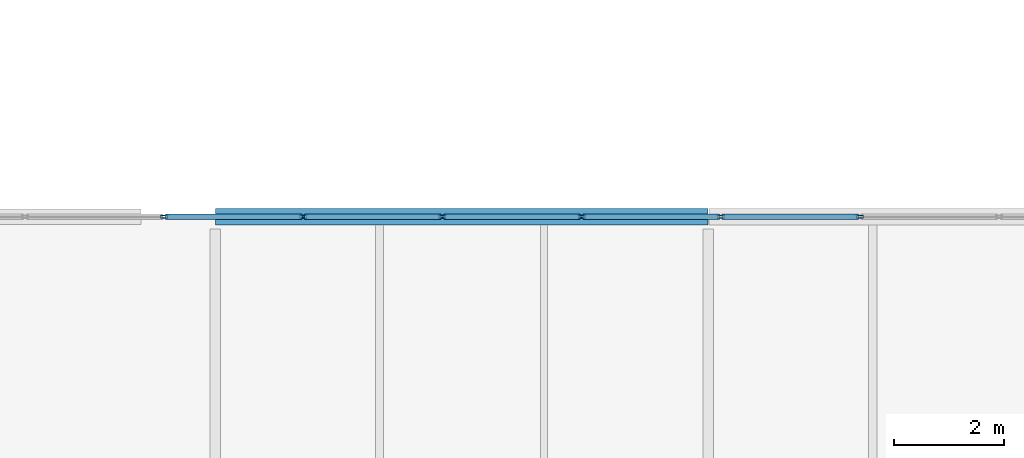
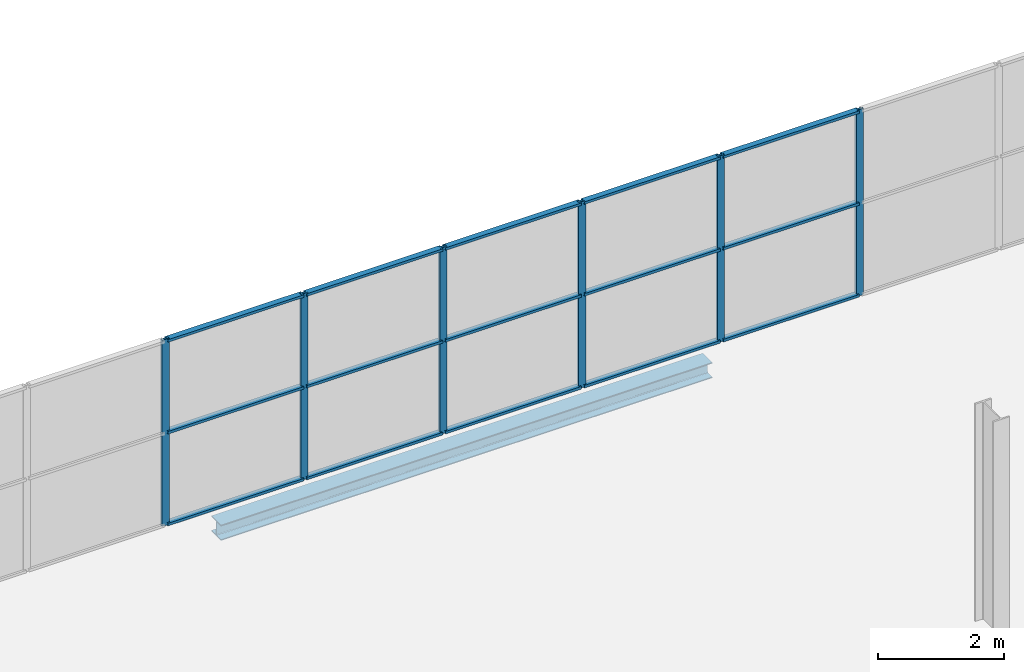
# One storey, part 45 of 59: 21 members, 1 beam, 1 element without a shape of its own.
"""IFC4 building model written with IfcOpenShell, lengths in metres."""

import ifcopenshell
import ifcopenshell.guid

model = None  # the IFC model being written
_history = None  # IfcOwnerHistory: only IFC2X3 demands one
_inside = {}  # id of a spatial element -> (the spatial element, [elements in it])
_under = {}  # id of a project, library or spatial element -> (it, [spatial elements below it])
_declared = {}  # id of a project -> (the project, [libraries it declares])
_typed = {}  # id of a type object -> (the type object, [elements of that type])
_made_of = {}  # id of a material, layer set ... -> (it, [elements and type objects made of it])


def new_model(schema):
    """Start an empty IFC model of exactly this schema.

    Asked for "IFC4X3", IfcOpenShell would pick the latest addendum, in which some entities
    have other attributes; the version numbers below select the first issue.
    IFC2X3 requires an IfcOwnerHistory on every rooted entity: one is made here for all.
    """
    global model, _history
    if schema == "IFC4X3":
        model = ifcopenshell.file(schema_version=(4, 3, 0, 0))
    else:
        model = ifcopenshell.file(schema=schema)
    _inside.clear()
    _under.clear()
    _declared.clear()
    _typed.clear()
    _made_of.clear()
    _history = None
    if model.schema == "IFC2X3":
        org = make("IfcOrganization", Name="unknown")
        user = make(
            "IfcPersonAndOrganization",
            ThePerson=make("IfcPerson", FamilyName="unknown"),
            TheOrganization=org,
        )
        app = make(
            "IfcApplication",
            ApplicationDeveloper=org,
            Version="unknown",
            ApplicationFullName="unknown",
            ApplicationIdentifier="unknown",
        )
        _history = make(
            "IfcOwnerHistory",
            OwningUser=user,
            OwningApplication=app,
            ChangeAction="ADDED",
            CreationDate=0,
        )
    return model


def make(cls, **values):
    """One entity of the class cls with the attributes given. An attribute that is None is left unset."""
    return model.create_entity(
        cls, **{name: value for name, value in values.items() if value is not None}
    )


def rooted(cls, **values):
    """An entity with a GlobalId (a new one), such as an element, a storey or a relation."""
    return make(cls, GlobalId=ifcopenshell.guid.new(), OwnerHistory=_history, **values)


def si_unit(unit_type, name, prefix=None):
    """IfcSIUnit, for example si_unit("LENGTHUNIT", "METRE", prefix="MILLI")."""
    return make("IfcSIUnit", UnitType=unit_type, Prefix=prefix, Name=name)


def assignment(units):
    """IfcUnitAssignment: the units of a project."""
    return None if units is None else make("IfcUnitAssignment", Units=units)


def point(xyz):
    """IfcCartesianPoint."""
    return None if xyz is None else make("IfcCartesianPoint", Coordinates=xyz)


def direction(xyz):
    """IfcDirection."""
    return None if xyz is None else make("IfcDirection", DirectionRatios=xyz)


def frame(location, z_axis=None, x_axis=None):
    """IfcAxis2Placement3D, a coordinate frame: its origin and axes. An axis left out is left unset."""
    return make(
        "IfcAxis2Placement3D",
        Location=point(location),
        Axis=direction(z_axis),
        RefDirection=direction(x_axis),
    )


def frame_2d(location, x_axis=None):
    """IfcAxis2Placement2D, a coordinate frame in the plane: its origin and x axis."""
    return make(
        "IfcAxis2Placement2D", Location=point(location), RefDirection=direction(x_axis)
    )


def origin():
    """The frame at (0, 0, 0) with its axes left unset."""
    return frame((0.0, 0.0, 0.0))


def origin_2d():
    """The frame at (0, 0) in the plane with its x axis left unset."""
    return frame_2d((0.0, 0.0))


def place(relative_to, where):
    """IfcLocalPlacement: puts the frame where relative to a parent placement (None: the world)."""
    return make(
        "IfcLocalPlacement", PlacementRelTo=relative_to, RelativePlacement=where
    )


def context(
    kind, dimensions, precision=None, world=None, true_north=None, identifier=None
):
    """IfcGeometricRepresentationContext, for example the 3D "Model" context."""
    return make(
        "IfcGeometricRepresentationContext",
        ContextIdentifier=identifier,
        ContextType=kind,
        CoordinateSpaceDimension=dimensions,
        Precision=precision,
        WorldCoordinateSystem=world,
        TrueNorth=true_north,
    )


def subcontext(parent, identifier, kind, view, scale=None):
    """IfcGeometricRepresentationSubContext, for example "Body" below "Model"."""
    return make(
        "IfcGeometricRepresentationSubContext",
        ContextIdentifier=identifier,
        ContextType=kind,
        ParentContext=parent,
        TargetScale=scale,
        TargetView=view,
    )


def project(units=None, contexts=None):
    """IfcProject with its units and contexts."""
    return rooted(
        "IfcProject",
        Name="project",
        RepresentationContexts=contexts,
        UnitsInContext=assignment(units),
    )


def spatial(cls, under=None, at=None, **own):
    """A site, building, storey or space (cls), placed at a placement, below another one or the project."""
    s = rooted(cls, ObjectPlacement=at, **own)
    if under is not None:
        _under.setdefault(under.id(), (under, []))[1].append(s)
    return s


def profile(cls, at=None, kind="AREA", **sizes):
    """A parametric profile (cls). Its sizes go by their IFC names, for example OverallWidth=200.0."""
    return make(cls, ProfileType=kind, Position=at, **sizes)


def hollow_rectangle(**sizes):
    """IfcRectangleHollowProfileDef."""
    return profile("IfcRectangleHollowProfileDef", **sizes)


def i_section(**sizes):
    """IfcIShapeProfileDef."""
    return profile("IfcIShapeProfileDef", **sizes)


def extrude(swept, where, along, depth):
    """IfcExtrudedAreaSolid: the profile swept, set in the frame where, extruded along a direction by depth."""
    return make(
        "IfcExtrudedAreaSolid",
        SweptArea=swept,
        Position=where,
        ExtrudedDirection=direction(along),
        Depth=depth,
    )


def shape(context_of_items, identifier, shape_type, items):
    """IfcShapeRepresentation: the items that make up one representation, for example the "Body"."""
    return make(
        "IfcShapeRepresentation",
        ContextOfItems=context_of_items,
        RepresentationIdentifier=identifier,
        RepresentationType=shape_type,
        Items=items,
    )


def material(Name=None, Category=None):
    """IfcMaterial."""
    return make("IfcMaterial", Name=Name, Category=Category)


def layer(
    of_material, thickness, ventilated=None, Name=None, Category=None, Priority=None
):
    """IfcMaterialLayer: one layer of a wall or slab, of a material (None: an air gap)."""
    return make(
        "IfcMaterialLayer",
        Material=of_material,
        LayerThickness=thickness,
        IsVentilated=ventilated,
        Name=Name,
        Category=Category,
        Priority=Priority,
    )


def layer_set(layers, Name=None):
    """IfcMaterialLayerSet."""
    return make("IfcMaterialLayerSet", MaterialLayers=layers, LayerSetName=Name)


def material_profile(
    of_material, cross_section, Name=None, Category=None, Priority=None
):
    """IfcMaterialProfile: a cross section and its material."""
    return make(
        "IfcMaterialProfile",
        Name=Name,
        Material=of_material,
        Profile=cross_section,
        Priority=Priority,
        Category=Category,
    )


def profile_set(profiles, Name=None, composite=None):
    """IfcMaterialProfileSet."""
    return make(
        "IfcMaterialProfileSet",
        Name=Name,
        MaterialProfiles=profiles,
        CompositeProfile=composite,
    )


def made_of(thing, what):
    """Note that an element or type object is made of a material, layer set ...; save() writes the relation."""
    if what is not None:
        _made_of.setdefault(what.id(), (what, []))[1].append(thing)
    return thing


def type_object(cls, material=None, **own):
    """A type object (cls), such as IfcWallType, which elements share."""
    return made_of(rooted(cls, **own), material)


def element(
    cls,
    number,
    at=None,
    inside=None,
    cuts=None,
    type_object=None,
    material=None,
    context=None,
    identifier="Body",
    shape_type=None,
    held_by="IfcProductDefinitionShape",
    body=None,
    shapes=None,
    **own,
):
    """One element of the class cls, such as IfcWall. Its Tag is "e" and its number.

    at: its placement. inside: the storey or other place that contains it. cuts: it is an
    opening in that element (IfcRelVoidsElement). A single representation is given by context,
    identifier, shape_type and body (its items); several are given by shapes. held_by: the class
    of the entity that holds the representations. save() writes the other relations.
    """
    e = rooted(cls, Tag="e%d" % number, ObjectPlacement=at, **own)
    if body is not None:
        shapes = [shape(context, identifier, shape_type, body)]
    if shapes is not None:
        e.Representation = make(held_by, Representations=shapes)
    if inside is not None:
        _inside.setdefault(inside.id(), (inside, []))[1].append(e)
    if cuts is not None:
        rooted(
            "IfcRelVoidsElement", RelatingBuildingElement=cuts, RelatedOpeningElement=e
        )
    if type_object is not None:
        _typed.setdefault(type_object.id(), (type_object, []))[1].append(e)
    return made_of(e, material)


def aggregate(whole, parts):
    """IfcRelAggregates: a whole, such as a stair, and the parts it consists of."""
    return rooted("IfcRelAggregates", RelatingObject=whole, RelatedObjects=parts)


def save(model, path):
    """Write the relations noted so far, then the file.

    IfcRelAggregates (storeys below a building ...), IfcRelContainedInSpatialStructure (elements
    in a storey), IfcRelDefinesByType, IfcRelAssociatesMaterial and IfcRelDeclares: one each for
    every whole, place, type object, material and project.
    """
    for whole, parts in _under.values():
        aggregate(whole, parts)
    for where, things in _inside.values():
        rooted(
            "IfcRelContainedInSpatialStructure",
            RelatedElements=things,
            RelatingStructure=where,
        )
    for kind, things in _typed.values():
        rooted("IfcRelDefinesByType", RelatedObjects=things, RelatingType=kind)
    for what, things in _made_of.values():
        rooted("IfcRelAssociatesMaterial", RelatedObjects=things, RelatingMaterial=what)
    for by, libraries in _declared.values():
        rooted("IfcRelDeclares", RelatingContext=by, RelatedDefinitions=libraries)
    model.write(path)


model = new_model("IFC4")

# Units and contexts
model_context = context("Model", 3, precision=1e-05, world=origin(), true_north=direction((0.0, 1.0)))
body_context = subcontext(model_context, "Body", "Model", "MODEL_VIEW")
ifc_project = project(units=[si_unit("LENGTHUNIT", "METRE"), si_unit("AREAUNIT", "SQUARE_METRE"), si_unit("VOLUMEUNIT", "CUBIC_METRE"), si_unit("PLANEANGLEUNIT", "RADIAN"), si_unit("MASSUNIT", "GRAM", prefix="KILO")], contexts=[model_context])

# Site, building, storey
site_placement = place(None, origin())
site = spatial("IfcSite", under=ifc_project, at=site_placement, CompositionType="ELEMENT")
building_placement = place(site_placement, origin())
building = spatial("IfcBuilding", under=site, at=building_placement, Name="Deido Ridge Mobility Hub", CompositionType="ELEMENT")
storey_placement = place(building_placement, frame((0.0, 0.0, 21.0)))
storey = spatial("IfcBuildingStorey", under=building, at=storey_placement, Name="L05", CompositionType="ELEMENT", Elevation=21.0)

# Curtain wall, members
ifc_material_1 = material(Name="Anodised aluminium EN AW-6063 T6", Category="aluminium")
ifc_layer = layer(ifc_material_1, 0.14404296875, Name="Anodised aluminium EN AW-6063 T6")
ifc_layer_set = layer_set([ifc_layer], Name="Anodised aluminium EN AW-6063 T6")
curtain_wall_type = type_object("IfcCurtainWallType", Name="CW-GS-2", PredefinedType="USERDEFINED", material=ifc_layer_set)
curtain_wall_placement = place(storey_placement, origin())
curtain_wall = element("IfcCurtainWall", 1, at=curtain_wall_placement, inside=storey, type_object=curtain_wall_type, Name="Unitised curtain wall GS2", ObjectType="GLAZED SCREEN", PredefinedType="USERDEFINED")
ifc_material_profile_1 = material_profile(ifc_material_1, hollow_rectangle(XDim=0.050048828125, YDim=0.1298828125, WallThickness=0.00390625, at=origin_2d()), Name="RHS 50x130x4")
ifc_profile_set_1 = profile_set([ifc_material_profile_1], Name="Anodised aluminium EN AW-6063 T6")
member_type_1 = type_object("IfcMemberType", Name="MEM-MUL-50X130", PredefinedType="MULLION", material=ifc_profile_set_1)
member_1_placement = place(storey_placement, frame((152.06787109375, 63.0, 0.0), z_axis=(0.0, 0.0, 1.0), x_axis=(0.0, 1.0, 0.0)))
member_1 = element("IfcMember", 2, at=member_1_placement, type_object=member_type_1, Name="GS2 mullion 4", PredefinedType="MULLION", context=body_context, shape_type="SweptSolid", body=[
    extrude(hollow_rectangle(XDim=0.050048828125, YDim=0.1298828125, WallThickness=0.00390625, at=origin_2d()), origin(), (0.0, 0.0, 1.0), 3.60009765625),
])
member_2_placement = place(storey_placement, frame((154.607177734375, 63.0, 0.0), z_axis=(0.0, 0.0, 1.0), x_axis=(0.0, 1.0, 0.0)))
member_2 = element("IfcMember", 3, at=member_2_placement, type_object=member_type_1, Name="GS2 mullion 5", PredefinedType="MULLION", context=body_context, shape_type="SweptSolid", body=[
    extrude(hollow_rectangle(XDim=0.050048828125, YDim=0.1298828125, WallThickness=0.00390625, at=origin_2d()), origin(), (0.0, 0.0, 1.0), 3.60009765625),
])
member_3_placement = place(storey_placement, frame((157.146484375, 63.0, 0.0), z_axis=(0.0, 0.0, 1.0), x_axis=(0.0, 1.0, 0.0)))
member_3 = element("IfcMember", 4, at=member_3_placement, type_object=member_type_1, Name="GS2 mullion 6", PredefinedType="MULLION", context=body_context, shape_type="SweptSolid", body=[
    extrude(hollow_rectangle(XDim=0.050048828125, YDim=0.1298828125, WallThickness=0.00390625, at=origin_2d()), origin(), (0.0, 0.0, 1.0), 3.60009765625),
])
member_4_placement = place(storey_placement, frame((159.685791015625, 63.0, 0.0), z_axis=(0.0, 0.0, 1.0), x_axis=(0.0, 1.0, 0.0)))
member_4 = element("IfcMember", 5, at=member_4_placement, type_object=member_type_1, Name="GS2 mullion 7", PredefinedType="MULLION", context=body_context, shape_type="SweptSolid", body=[
    extrude(hollow_rectangle(XDim=0.050048828125, YDim=0.1298828125, WallThickness=0.00390625, at=origin_2d()), origin(), (0.0, 0.0, 1.0), 3.60009765625),
])
member_5_placement = place(storey_placement, frame((162.22509765625, 63.0, 0.0), z_axis=(0.0, 0.0, 1.0), x_axis=(0.0, 1.0, 0.0)))
member_5 = element("IfcMember", 6, at=member_5_placement, type_object=member_type_1, Name="GS2 mullion 8", PredefinedType="MULLION", context=body_context, shape_type="SweptSolid", body=[
    extrude(hollow_rectangle(XDim=0.050048828125, YDim=0.1298828125, WallThickness=0.00390625, at=origin_2d()), origin(), (0.0, 0.0, 1.0), 3.60009765625),
])
member_6_placement = place(storey_placement, frame((164.764404296875, 63.0, 0.0), z_axis=(0.0, 0.0, 1.0), x_axis=(0.0, 1.0, 0.0)))
member_6 = element("IfcMember", 7, at=member_6_placement, type_object=member_type_1, Name="GS2 mullion 9", PredefinedType="MULLION", context=body_context, shape_type="SweptSolid", body=[
    extrude(hollow_rectangle(XDim=0.050048828125, YDim=0.1298828125, WallThickness=0.00390625, at=origin_2d()), origin(), (0.0, 0.0, 1.0), 3.60009765625),
])
ifc_material_profile_2 = material_profile(ifc_material_1, hollow_rectangle(XDim=0.10498046875, YDim=0.050048828125, WallThickness=0.00390625, at=origin_2d()), Name="RHS 105x50x4")
ifc_profile_set_2 = profile_set([ifc_material_profile_2], Name="Anodised aluminium EN AW-6063 T6")
member_type_2 = type_object("IfcMemberType", Name="MEM-TRN-105X50", PredefinedType="USERDEFINED", material=ifc_profile_set_2)
member_7_placement = place(storey_placement, frame((152.0927734375, 63.0, 0.02490234375), z_axis=(1.0, 0.0, 0.0), x_axis=(0.0, 1.0, 0.0)))
member_7 = element("IfcMember", 8, at=member_7_placement, type_object=member_type_2, Name="GS2 transom 4.1", ObjectType="TRANSOM", PredefinedType="USERDEFINED", context=body_context, shape_type="SweptSolid", body=[
    extrude(hollow_rectangle(XDim=0.10498046875, YDim=0.050048828125, WallThickness=0.00390625, at=origin_2d()), origin(), (0.0, 0.0, 1.0), 2.4892578125),
])
member_8_placement = place(storey_placement, frame((152.0927734375, 63.0, 1.800048828125), z_axis=(1.0, 0.0, 0.0), x_axis=(0.0, 1.0, 0.0)))
member_8 = element("IfcMember", 9, at=member_8_placement, type_object=member_type_2, Name="GS2 transom 4.2", ObjectType="TRANSOM", PredefinedType="USERDEFINED", context=body_context, shape_type="SweptSolid", body=[
    extrude(hollow_rectangle(XDim=0.10498046875, YDim=0.050048828125, WallThickness=0.00390625, at=origin_2d()), origin(), (0.0, 0.0, 1.0), 2.4892578125),
])
member_9_placement = place(storey_placement, frame((152.0927734375, 63.0, 3.574951171875), z_axis=(1.0, 0.0, 0.0), x_axis=(0.0, 1.0, 0.0)))
member_9 = element("IfcMember", 10, at=member_9_placement, type_object=member_type_2, Name="GS2 transom 4.3", ObjectType="TRANSOM", PredefinedType="USERDEFINED", context=body_context, shape_type="SweptSolid", body=[
    extrude(hollow_rectangle(XDim=0.10498046875, YDim=0.050048828125, WallThickness=0.00390625, at=origin_2d()), origin(), (0.0, 0.0, 1.0), 2.4892578125),
])
member_10_placement = place(storey_placement, frame((154.632080078125, 63.0, 0.02490234375), z_axis=(1.0, 0.0, 0.0), x_axis=(0.0, 1.0, 0.0)))
member_10 = element("IfcMember", 11, at=member_10_placement, type_object=member_type_2, Name="GS2 transom 5.1", ObjectType="TRANSOM", PredefinedType="USERDEFINED", context=body_context, shape_type="SweptSolid", body=[
    extrude(hollow_rectangle(XDim=0.10498046875, YDim=0.050048828125, WallThickness=0.00390625, at=origin_2d()), origin(), (0.0, 0.0, 1.0), 2.4892578125),
])
member_11_placement = place(storey_placement, frame((154.632080078125, 63.0, 1.800048828125), z_axis=(1.0, 0.0, 0.0), x_axis=(0.0, 1.0, 0.0)))
member_11 = element("IfcMember", 12, at=member_11_placement, type_object=member_type_2, Name="GS2 transom 5.2", ObjectType="TRANSOM", PredefinedType="USERDEFINED", context=body_context, shape_type="SweptSolid", body=[
    extrude(hollow_rectangle(XDim=0.10498046875, YDim=0.050048828125, WallThickness=0.00390625, at=origin_2d()), origin(), (0.0, 0.0, 1.0), 2.4892578125),
])
member_12_placement = place(storey_placement, frame((154.632080078125, 63.0, 3.574951171875), z_axis=(1.0, 0.0, 0.0), x_axis=(0.0, 1.0, 0.0)))
member_12 = element("IfcMember", 13, at=member_12_placement, type_object=member_type_2, Name="GS2 transom 5.3", ObjectType="TRANSOM", PredefinedType="USERDEFINED", context=body_context, shape_type="SweptSolid", body=[
    extrude(hollow_rectangle(XDim=0.10498046875, YDim=0.050048828125, WallThickness=0.00390625, at=origin_2d()), origin(), (0.0, 0.0, 1.0), 2.4892578125),
])
member_13_placement = place(storey_placement, frame((157.17138671875, 63.0, 0.02490234375), z_axis=(1.0, 0.0, 0.0), x_axis=(0.0, 1.0, 0.0)))
member_13 = element("IfcMember", 14, at=member_13_placement, type_object=member_type_2, Name="GS2 transom 6.1", ObjectType="TRANSOM", PredefinedType="USERDEFINED", context=body_context, shape_type="SweptSolid", body=[
    extrude(hollow_rectangle(XDim=0.10498046875, YDim=0.050048828125, WallThickness=0.00390625, at=origin_2d()), origin(), (0.0, 0.0, 1.0), 2.4892578125),
])
member_14_placement = place(storey_placement, frame((157.17138671875, 63.0, 1.800048828125), z_axis=(1.0, 0.0, 0.0), x_axis=(0.0, 1.0, 0.0)))
member_14 = element("IfcMember", 15, at=member_14_placement, type_object=member_type_2, Name="GS2 transom 6.2", ObjectType="TRANSOM", PredefinedType="USERDEFINED", context=body_context, shape_type="SweptSolid", body=[
    extrude(hollow_rectangle(XDim=0.10498046875, YDim=0.050048828125, WallThickness=0.00390625, at=origin_2d()), origin(), (0.0, 0.0, 1.0), 2.4892578125),
])
member_15_placement = place(storey_placement, frame((157.17138671875, 63.0, 3.574951171875), z_axis=(1.0, 0.0, 0.0), x_axis=(0.0, 1.0, 0.0)))
member_15 = element("IfcMember", 16, at=member_15_placement, type_object=member_type_2, Name="GS2 transom 6.3", ObjectType="TRANSOM", PredefinedType="USERDEFINED", context=body_context, shape_type="SweptSolid", body=[
    extrude(hollow_rectangle(XDim=0.10498046875, YDim=0.050048828125, WallThickness=0.00390625, at=origin_2d()), origin(), (0.0, 0.0, 1.0), 2.4892578125),
])
member_16_placement = place(storey_placement, frame((159.710693359375, 63.0, 0.02490234375), z_axis=(1.0, 0.0, 0.0), x_axis=(0.0, 1.0, 0.0)))
member_16 = element("IfcMember", 17, at=member_16_placement, type_object=member_type_2, Name="GS2 transom 7.1", ObjectType="TRANSOM", PredefinedType="USERDEFINED", context=body_context, shape_type="SweptSolid", body=[
    extrude(hollow_rectangle(XDim=0.10498046875, YDim=0.050048828125, WallThickness=0.00390625, at=origin_2d()), origin(), (0.0, 0.0, 1.0), 2.4892578125),
])
member_17_placement = place(storey_placement, frame((159.710693359375, 63.0, 1.800048828125), z_axis=(1.0, 0.0, 0.0), x_axis=(0.0, 1.0, 0.0)))
member_17 = element("IfcMember", 18, at=member_17_placement, type_object=member_type_2, Name="GS2 transom 7.2", ObjectType="TRANSOM", PredefinedType="USERDEFINED", context=body_context, shape_type="SweptSolid", body=[
    extrude(hollow_rectangle(XDim=0.10498046875, YDim=0.050048828125, WallThickness=0.00390625, at=origin_2d()), origin(), (0.0, 0.0, 1.0), 2.4892578125),
])
member_18_placement = place(storey_placement, frame((159.710693359375, 63.0, 3.574951171875), z_axis=(1.0, 0.0, 0.0), x_axis=(0.0, 1.0, 0.0)))
member_18 = element("IfcMember", 19, at=member_18_placement, type_object=member_type_2, Name="GS2 transom 7.3", ObjectType="TRANSOM", PredefinedType="USERDEFINED", context=body_context, shape_type="SweptSolid", body=[
    extrude(hollow_rectangle(XDim=0.10498046875, YDim=0.050048828125, WallThickness=0.00390625, at=origin_2d()), origin(), (0.0, 0.0, 1.0), 2.4892578125),
])
member_19_placement = place(storey_placement, frame((162.25, 63.0, 0.02490234375), z_axis=(1.0, 0.0, 0.0), x_axis=(0.0, 1.0, 0.0)))
member_19 = element("IfcMember", 20, at=member_19_placement, type_object=member_type_2, Name="GS2 transom 8.1", ObjectType="TRANSOM", PredefinedType="USERDEFINED", context=body_context, shape_type="SweptSolid", body=[
    extrude(hollow_rectangle(XDim=0.10498046875, YDim=0.050048828125, WallThickness=0.00390625, at=origin_2d()), origin(), (0.0, 0.0, 1.0), 2.4892578125),
])
member_20_placement = place(storey_placement, frame((162.25, 63.0, 1.800048828125), z_axis=(1.0, 0.0, 0.0), x_axis=(0.0, 1.0, 0.0)))
member_20 = element("IfcMember", 21, at=member_20_placement, type_object=member_type_2, Name="GS2 transom 8.2", ObjectType="TRANSOM", PredefinedType="USERDEFINED", context=body_context, shape_type="SweptSolid", body=[
    extrude(hollow_rectangle(XDim=0.10498046875, YDim=0.050048828125, WallThickness=0.00390625, at=origin_2d()), origin(), (0.0, 0.0, 1.0), 2.4892578125),
])
member_21_placement = place(storey_placement, frame((162.25, 63.0, 3.574951171875), z_axis=(1.0, 0.0, 0.0), x_axis=(0.0, 1.0, 0.0)))
member_21 = element("IfcMember", 22, at=member_21_placement, type_object=member_type_2, Name="GS2 transom 8.3", ObjectType="TRANSOM", PredefinedType="USERDEFINED", context=body_context, shape_type="SweptSolid", body=[
    extrude(hollow_rectangle(XDim=0.10498046875, YDim=0.050048828125, WallThickness=0.00390625, at=origin_2d()), origin(), (0.0, 0.0, 1.0), 2.4892578125),
])
aggregate(curtain_wall, [member_1, member_2, member_3, member_4, member_5, member_6, member_7, member_8, member_9, member_10, member_11, member_12, member_13, member_14, member_15, member_16, member_17, member_18, member_19, member_20, member_21])

# Beam
ifc_material_2 = material(Name="Steel S355J2 EN 10025-2", Category="steel")
ifc_material_profile_3 = material_profile(ifc_material_2, i_section(OverallWidth=0.300048828125, OverallDepth=0.300048828125, WebThickness=0.010986328125, FlangeThickness=0.01904296875, FilletRadius=0.027099609375, at=origin_2d()), Name="HEB 300")
ifc_profile_set_3 = profile_set([ifc_material_profile_3], Name="Steel S355J2 EN 10025-2")
beam_type = type_object("IfcBeamType", Name="SPD-HEB300", PredefinedType="SPANDREL", material=ifc_profile_set_3)
beam_placement = place(storey_placement, frame((153.007080078125, 63.0, -0.39501953125), z_axis=(1.0, 0.0, 0.0), x_axis=(0.0, 1.0, 0.0)))
element("IfcBeam", 23, at=beam_placement, inside=storey, type_object=beam_type, Name="Floor beam SP1", PredefinedType="SPANDREL", context=body_context, shape_type="SweptSolid", body=[
    extrude(i_section(OverallWidth=0.300048828125, OverallDepth=0.300048828125, WebThickness=0.010986328125, FlangeThickness=0.01904296875, FilletRadius=0.027099609375, at=origin_2d()), origin(), (0.0, 0.0, 1.0), 8.98583984375),
])

save(model, "model.ifc")
